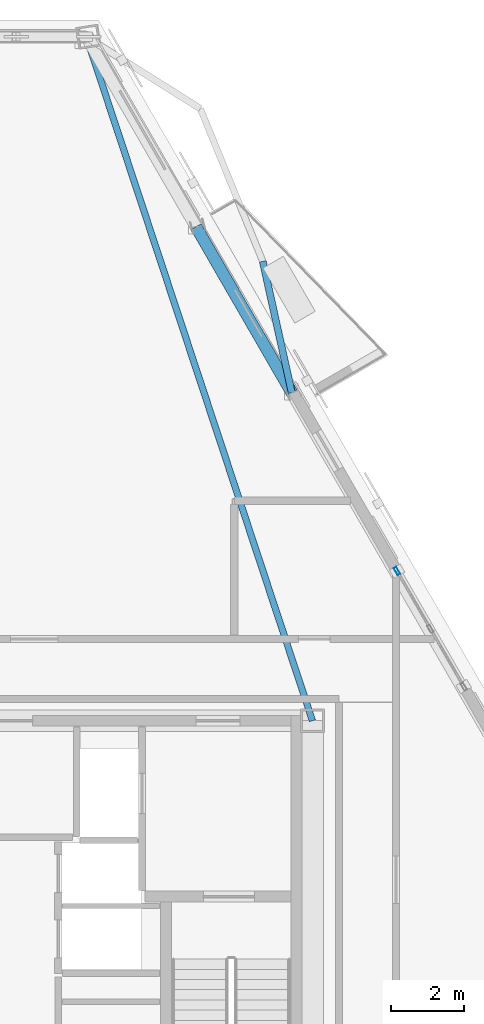
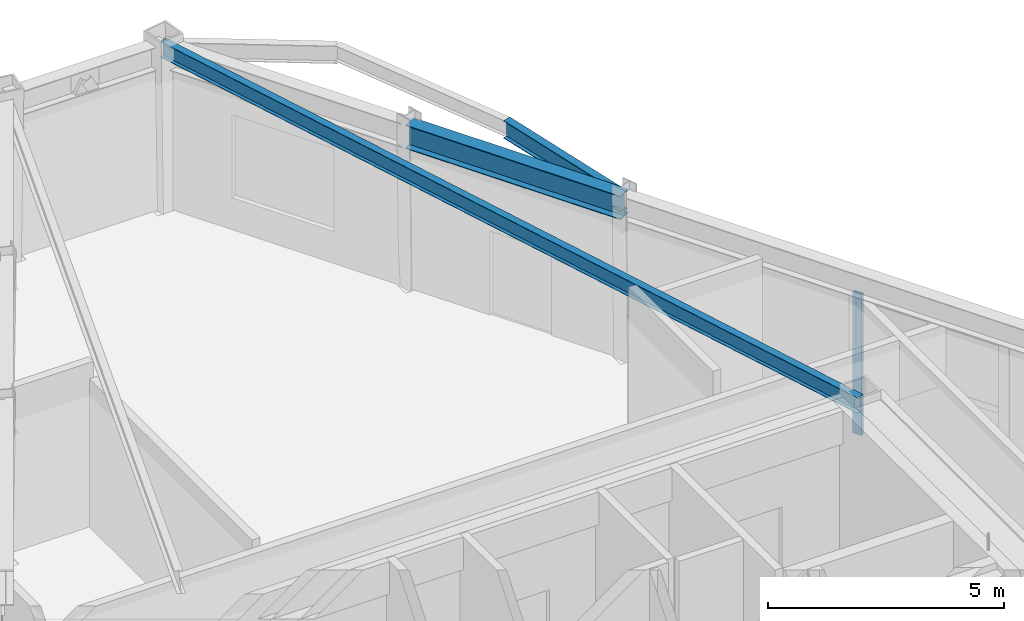
# One storey, part 6 of 16: 3 beams, 1 member, 1 element without a shape of its own.
"""IFC4 building model written with IfcOpenShell, lengths in metres."""

from ifc_helpers import new_model, si_unit, direction, frame, origin, origin_2d, place, context, subcontext, project, spatial, hollow_rectangle, i_section, extrude, material, layer, layer_set, material_profile, profile_set, type_object, element, aggregate, save


model = new_model("IFC4")

# Units and contexts
model_context = context("Model", 3, precision=1e-05, world=origin(), true_north=direction((0.0, 1.0)))
body_context = subcontext(model_context, "Body", "Model", "MODEL_VIEW")
ifc_project = project(units=[si_unit("LENGTHUNIT", "METRE"), si_unit("AREAUNIT", "SQUARE_METRE"), si_unit("VOLUMEUNIT", "CUBIC_METRE"), si_unit("PLANEANGLEUNIT", "RADIAN"), si_unit("MASSUNIT", "GRAM", prefix="KILO")], contexts=[model_context])

# Site, building, storey
site_placement = place(None, origin())
site = spatial("IfcSite", under=ifc_project, at=site_placement, CompositionType="ELEMENT")
building_placement = place(site_placement, origin())
building = spatial("IfcBuilding", under=site, at=building_placement, Name="Oramaril Tower", CompositionType="ELEMENT")
storey_placement = place(building_placement, frame((0.0, 0.0, 296.699951171875)))
storey = spatial("IfcBuildingStorey", under=building, at=storey_placement, Name="L78", CompositionType="ELEMENT", Elevation=296.699951171875)

# Beams
ifc_material_1 = material(Name="Steel ASTM A572 Gr 50", Category="steel")
ifc_material_profile_1 = material_profile(ifc_material_1, i_section(OverallWidth=0.19091796875, OverallDepth=0.45703125, WebThickness=0.009033203125, FlangeThickness=0.014404296875, at=origin_2d()), Name="W18X50")
ifc_profile_set_1 = profile_set([ifc_material_profile_1], Name="Steel ASTM A572 Gr 50")
beam_type_1 = type_object("IfcBeamType", Name="BT-BB1", PredefinedType="BEAM", material=ifc_profile_set_1)
beam_1_placement = place(storey_placement, frame((45.0810546875, 33.173583984375, 4.051513671875), z_axis=(-0.215504964135, 0.976502744714, 0.0), x_axis=(-0.976502744714, -0.215504964135, 0.0)))
element("IfcBeam", 1, at=beam_1_placement, inside=storey, type_object=beam_type_1, Name="L78 Balcony Column-Framed Cantilever 04.1", PredefinedType="BEAM", context=body_context, shape_type="SweptSolid", body=[
    extrude(i_section(OverallWidth=0.19091796875, OverallDepth=0.45703125, WebThickness=0.009033203125, FlangeThickness=0.014404296875, at=origin_2d()), origin(), (0.0, 0.0, 1.0), 3.699951171875),
])
ifc_material_2 = material(Name="Steel ASTM A572 Gr 50", Category="steel")
ifc_material_profile_2 = material_profile(ifc_material_2, i_section(OverallWidth=0.177978515625, OverallDepth=0.404052734375, WebThickness=0.007568359375, FlangeThickness=0.010986328125, at=origin_2d()), Name="W16X36")
ifc_profile_set_2 = profile_set([ifc_material_profile_2], Name="Steel ASTM A572 Gr 50")
beam_type_2 = type_object("IfcBeamType", Name="BT-SB1", PredefinedType="BEAM", material=ifc_profile_set_2)
beam_2_placement = place(storey_placement, frame((45.64990234375, 24.14990234375, 4.078125), z_axis=(-0.313878899078, 0.949463025459, 0.0), x_axis=(-0.949463025459, -0.313878899078, 0.0)))
element("IfcBeam", 2, at=beam_2_placement, inside=storey, type_object=beam_type_2, Name="L78 Radial Primary Beam RB-05", PredefinedType="BEAM", context=body_context, shape_type="SweptSolid", body=[
    extrude(i_section(OverallWidth=0.177978515625, OverallDepth=0.404052734375, WebThickness=0.007568359375, FlangeThickness=0.010986328125, at=origin_2d()), origin(), (0.0, 0.0, 1.0), 19.80859375),
])
ifc_material_3 = material(Name="Steel ASTM A572 Gr 50", Category="steel")
ifc_material_profile_3 = material_profile(ifc_material_3, i_section(OverallWidth=0.324951171875, OverallDepth=0.612060546875, WebThickness=0.0126953125, FlangeThickness=0.01904296875, at=origin_2d()), Name="W24X104")
ifc_profile_set_3 = profile_set([ifc_material_profile_3], Name="Steel ASTM A572 Gr 50")
beam_type_3 = type_object("IfcBeamType", Name="BT-SP5", PredefinedType="SPANDREL", material=ifc_profile_set_3)
beam_3_placement = place(storey_placement, frame((45.0810546875, 33.173583984375, 3.97412109375), z_axis=(-0.499978997179, 0.866037529429, 0.0), x_axis=(-0.866037529429, -0.499978997179, 0.0)))
element("IfcBeam", 3, at=beam_3_placement, inside=storey, type_object=beam_type_3, Name="L78 Perimeter Spandrel 11", PredefinedType="SPANDREL", context=body_context, shape_type="SweptSolid", body=[
    extrude(i_section(OverallWidth=0.324951171875, OverallDepth=0.612060546875, WebThickness=0.0126953125, FlangeThickness=0.01904296875, at=origin_2d()), origin(), (0.0, 0.0, 1.0), 5.272216796875),
])

# Curtain wall, member
ifc_material_4 = material(Name="Anodised Aluminium 6063-T6", Category="aluminium")
ifc_layer = layer(ifc_material_4, 0.219970703125)
ifc_layer_set = layer_set([ifc_layer], Name="CWT-SYS5")
curtain_wall_type = type_object("IfcCurtainWallType", Name="CWT-SYS5", PredefinedType="NOTDEFINED", material=ifc_layer_set)
curtain_wall_placement = place(storey_placement, origin())
curtain_wall = element("IfcCurtainWall", 4, at=curtain_wall_placement, inside=storey, type_object=curtain_wall_type, Name="L78 Unitised Curtain Wall CW-5", PredefinedType="NOTDEFINED")
ifc_material_5 = material(Name="Anodised Aluminium 6063-T6", Category="aluminium")
ifc_material_profile_4 = material_profile(ifc_material_5, hollow_rectangle(XDim=0.080078125, YDim=0.219970703125, WallThickness=0.00390625, at=origin_2d()), Name="CWM220X80")
ifc_profile_set_4 = profile_set([ifc_material_profile_4], Name="Anodised Aluminium 6063-T6")
member_type = type_object("IfcMemberType", Name="MT-CWM1", PredefinedType="MULLION", material=ifc_profile_set_4)
member_placement = place(storey_placement, frame((47.9755859375, 28.27294921875, 0.0), z_axis=(0.0, 0.0, 1.0), x_axis=(-0.866025463091, -0.499999897278, 0.0)))
member = element("IfcMember", 5, at=member_placement, type_object=member_type, Name="CW-5 mullion 3", PredefinedType="MULLION", context=body_context, shape_type="SweptSolid", body=[
    extrude(hollow_rectangle(XDim=0.080078125, YDim=0.219970703125, WallThickness=0.00390625, at=origin_2d()), origin(), (0.0, 0.0, 1.0), 3.657958984375),
])
aggregate(curtain_wall, [member])

save(model, "model.ifc")
